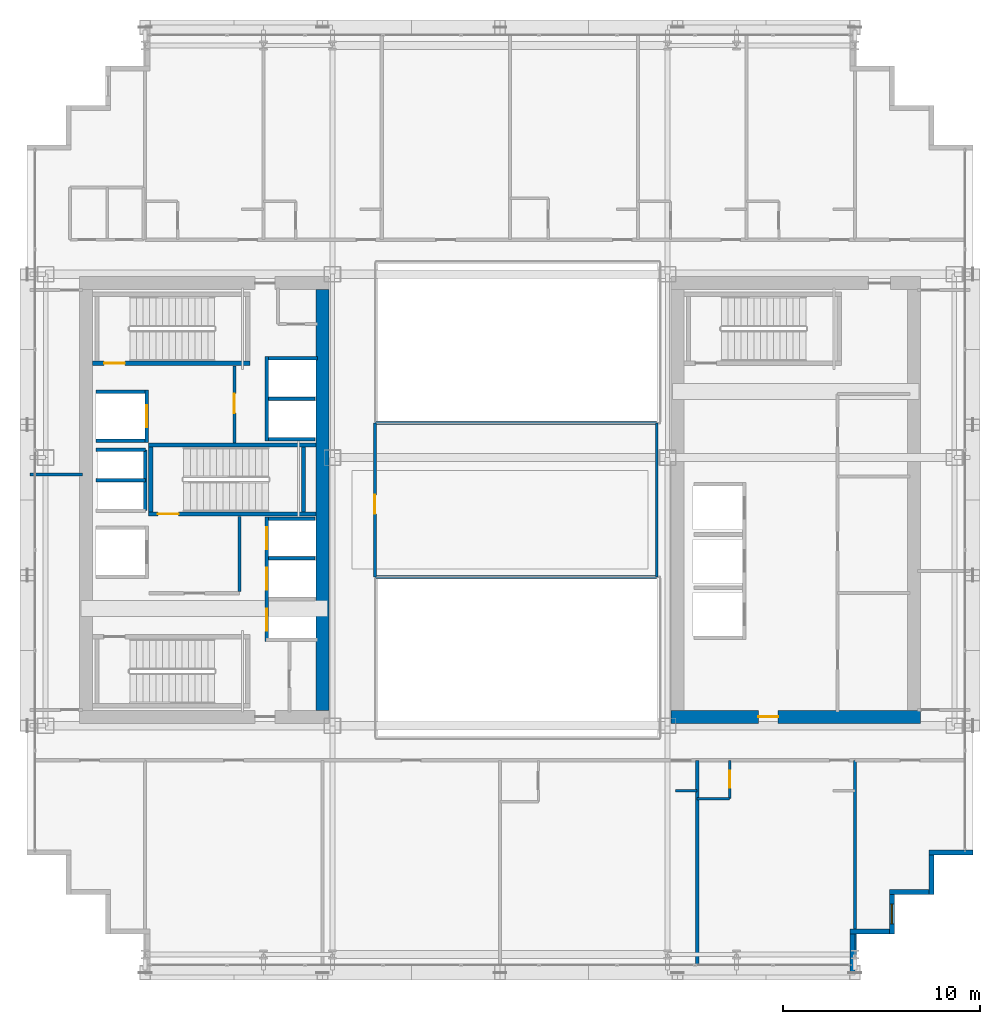
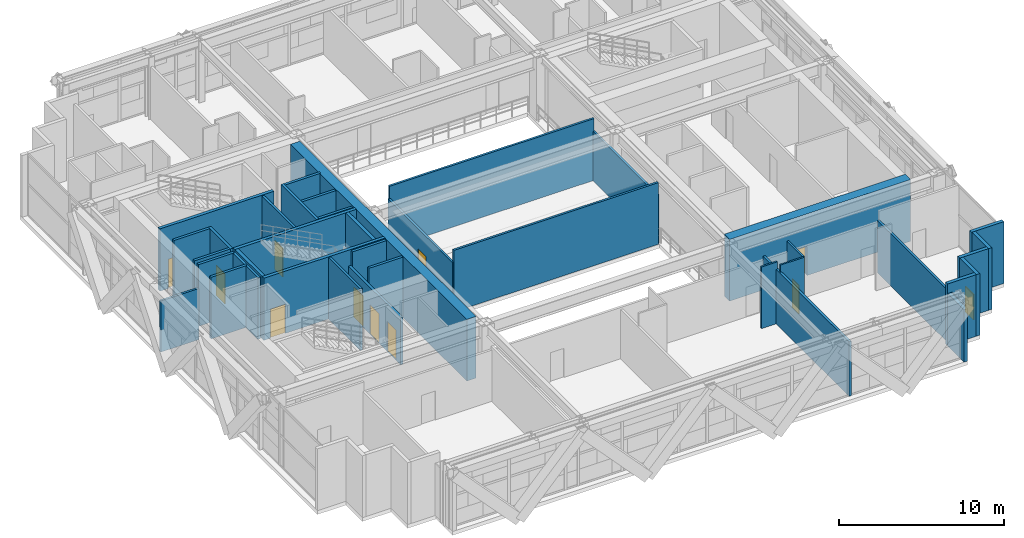
# One storey, part 31 of 38: 38 walls, 10 doors, 1 window, 11 openings.
"""IFC4 building model written with IfcOpenShell, lengths in metres."""

from ifc_helpers import new_model, si_unit, direction, frame, frame_2d, origin, place, context, subcontext, project, spatial, rectangle, extrude, source, transform, mapped, material, layer, layer_set, type_object, element, fill, save


model = new_model("IFC4")

# Units and contexts
model_context = context("Model", 3, precision=1e-05, world=origin(), true_north=direction((0.0, 1.0)))
body_context = subcontext(model_context, "Body", "Model", "MODEL_VIEW")
ifc_project = project(units=[si_unit("LENGTHUNIT", "METRE"), si_unit("AREAUNIT", "SQUARE_METRE"), si_unit("VOLUMEUNIT", "CUBIC_METRE"), si_unit("PLANEANGLEUNIT", "RADIAN"), si_unit("MASSUNIT", "GRAM", prefix="KILO")], contexts=[model_context])

# Site, building, storey
site_placement = place(None, origin())
site = spatial("IfcSite", under=ifc_project, at=site_placement, CompositionType="ELEMENT")
building_placement = place(site_placement, origin())
building = spatial("IfcBuilding", under=site, at=building_placement, Name="Ocotamira Hotel", CompositionType="ELEMENT")
storey_placement = place(building_placement, frame((0.0, 0.0, 92.39990234375)))
storey = spatial("IfcBuildingStorey", under=building, at=storey_placement, Name="L22", CompositionType="ELEMENT", Elevation=92.39990234375)

# Wall
ifc_material_1 = material(Name="Concrete C60/75", Category="concrete")
ifc_layer_1 = layer(ifc_material_1, 0.64990234375)
ifc_layer_set_1 = layer_set([ifc_layer_1], Name="Concrete C60/75")
wall_type_1 = type_object("IfcWallType", Name="WL-CORE-650", PredefinedType="SHEAR", material=ifc_layer_set_1)
wall_1_placement = place(storey_placement, frame((23.0, 15.324951171875, 0.0), z_axis=(0.0, 0.0, 1.0), x_axis=(0.0, 1.0, 0.0)))
element("IfcWall", 1, at=wall_1_placement, inside=storey, type_object=wall_type_1, Name="L22 Shear Core Wall WCORE-E", PredefinedType="SHEAR", context=body_context, shape_type="SweptSolid", body=[
    extrude(rectangle(XDim=21.35009765625, YDim=0.64990234375, at=frame_2d((10.675048828125, 0.0))), origin(), (0.0, 0.0, 1.0), 4.56005859375),
])

# Wall, opening, door
wall_2_placement = place(storey_placement, frame((40.675048828125, 15.0, 0.0), z_axis=(0.0, 0.0, 1.0), x_axis=(1.0, 0.0, 0.0)))
wall_2 = element("IfcWall", 2, at=wall_2_placement, inside=storey, type_object=wall_type_1, Name="L22 Shear Core Wall ECORE-S", PredefinedType="SHEAR", context=body_context, shape_type="SweptSolid", body=[
    extrude(rectangle(XDim=12.64990234375, YDim=0.64990234375, at=frame_2d((6.324951171875, 0.0))), origin(), (0.0, 0.0, 1.0), 4.56005859375),
])
opening_1_placement = place(wall_2_placement, frame((4.425048828125, 0.0, 0.0)))
opening_1 = element("IfcOpeningElement", 3, at=opening_1_placement, cuts=wall_2, Name="Opening D-FR2", PredefinedType="OPENING", context=body_context, shape_type="SweptSolid", body=[
    extrude(rectangle(XDim=1.0, YDim=2.14990234375, at=frame_2d((0.5, 1.074951171875))), frame((0.0, 0.3349609375, 0.0), z_axis=(0.0, -1.0, 0.0), x_axis=(1.0, 0.0, 0.0)), (0.0, 0.0, 1.0), 0.669921875),
])
ifc_material_2 = material(Name="Fire-rated acoustic timber-veneer door", Category="wood")
door_type_1 = type_object("IfcDoorType", Name="DR-FIRE-1000", OperationType="NOTDEFINED", PredefinedType="DOOR", material=ifc_material_2)
shared_shape_1 = source(origin(), body_context, "Body", "SweptSolid", [
    extrude(rectangle(XDim=1.0, YDim=2.14990234375, at=frame_2d((0.5, 1.074951171875))), frame((0.0, 0.02490234375, 0.0), z_axis=(0.0, -1.0, 0.0), x_axis=(1.0, 0.0, 0.0)), (0.0, 0.0, 1.0), 0.050048828125),
])
door_1_placement = place(opening_1_placement, origin())
door_1 = element("IfcDoor", 4, at=door_1_placement, inside=storey, type_object=door_type_1, Name="L22 Door ID-L22-ELOB-S-D [ID-L22-ELOB-S-D]", OperationType="SINGLE_SWING_RIGHT", OverallHeight=2.14990234375, OverallWidth=1.0, PredefinedType="DOOR", context=body_context, shape_type="MappedRepresentation", body=[
    mapped(shared_shape_1, transform((0.0, 0.0, 0.0), scale=1.0)),
])
fill(opening_1, door_1)

# Walls
ifc_material_3 = material(Name="Precast concrete C45/55", Category="concrete")
ifc_layer_2 = layer(ifc_material_3, 0.25)
ifc_layer_set_2 = layer_set([ifc_layer_2], Name="Precast concrete C45/55")
wall_type_2 = type_object("IfcWallType", Name="WL-EXT-SER-250", PredefinedType="SOLIDWALL", material=ifc_layer_set_2)
wall_3_placement = place(storey_placement, frame((49.875, 2.0, 0.0), z_axis=(0.0, 0.0, 1.0), x_axis=(0.0, 1.0, 0.0)))
element("IfcWall", 5, at=wall_3_placement, inside=storey, type_object=wall_type_2, Name="L22 Serrated Corner Wall 01", PredefinedType="SOLIDWALL", context=body_context, shape_type="SweptSolid", body=[
    extrude(rectangle(XDim=2.0, YDim=0.25, at=frame_2d((1.0, 0.0))), origin(), (0.0, 0.0, 1.0), 3.8671875),
])
wall_4_placement = place(storey_placement, frame((49.75, 4.125, 0.0), z_axis=(0.0, 0.0, 1.0), x_axis=(1.0, 0.0, 0.0)))
element("IfcWall", 6, at=wall_4_placement, inside=storey, type_object=wall_type_2, Name="L22 Serrated Corner Wall 02", PredefinedType="SOLIDWALL", context=body_context, shape_type="SweptSolid", body=[
    extrude(rectangle(XDim=2.0, YDim=0.25, at=frame_2d((1.0, 0.0))), origin(), (0.0, 0.0, 1.0), 4.56005859375),
])

# Wall, opening, window
wall_5_placement = place(storey_placement, frame((51.875, 4.0, 0.0), z_axis=(0.0, 0.0, 1.0), x_axis=(0.0, 1.0, 0.0)))
wall_5 = element("IfcWall", 7, at=wall_5_placement, inside=storey, type_object=wall_type_2, Name="L22 Serrated Corner Wall 03", PredefinedType="SOLIDWALL", context=body_context, shape_type="SweptSolid", body=[
    extrude(rectangle(XDim=2.0, YDim=0.25, at=frame_2d((1.0, 0.0))), origin(), (0.0, 0.0, 1.0), 4.56005859375),
])
opening_2_placement = place(wall_5_placement, frame((0.5, 0.0, 0.85009765625)))
opening_2 = element("IfcOpeningElement", 8, at=opening_2_placement, cuts=wall_5, Name="Opening WN-2", PredefinedType="OPENING", context=body_context, shape_type="SweptSolid", body=[
    extrude(rectangle(XDim=1.0, YDim=1.89990234375, at=frame_2d((0.5, 0.949951171875))), frame((0.0, 0.135009765625, 0.0), z_axis=(0.0, -1.0, 0.0), x_axis=(1.0, 0.0, 0.0)), (0.0, 0.0, 1.0), 0.27001953125),
])
ifc_material_4 = material(Name="Double-silver low-E solar glass", Category="glass")
window_type = type_object("IfcWindowType", Name="WIN-SER-1100", PartitioningType="SINGLE_PANEL", PredefinedType="WINDOW", material=ifc_material_4)
shared_shape_2 = source(origin(), body_context, "Body", "SweptSolid", [
    extrude(rectangle(XDim=1.0, YDim=1.89990234375, at=frame_2d((0.5, 0.949951171875))), frame((0.0, 0.030029296875, 0.0), z_axis=(0.0, -1.0, 0.0), x_axis=(1.0, 0.0, 0.0)), (0.0, 0.0, 1.0), 0.06005859375),
])
window_placement = place(opening_2_placement, origin())
window = element("IfcWindow", 9, at=window_placement, inside=storey, type_object=window_type, Name="L22 Serrated Corner Window 03", OverallHeight=1.89990234375, OverallWidth=1.0, PartitioningType="SINGLE_PANEL", PredefinedType="WINDOW", context=body_context, shape_type="MappedRepresentation", body=[
    mapped(shared_shape_2, transform((0.0, 0.0, 0.0), scale=1.0)),
])
fill(opening_2, window)

# Walls
for number, where, z_axis, x_axis, name in (
    (10, (51.75, 6.125, 0.0), (0.0, 0.0, 1.0), (1.0, 0.0, 0.0), "L22 Serrated Corner Wall 04"),
    (11, (53.875, 6.0, 0.0), (0.0, 0.0, 1.0), (0.0, 1.0, 0.0), "L22 Serrated Corner Wall 05"),
):
    element("IfcWall", number, at=place(storey_placement, frame(where, z_axis=z_axis, x_axis=x_axis)), inside=storey, type_object=wall_type_2, Name=name, PredefinedType="SOLIDWALL", context=body_context, shape_type="SweptSolid", body=[
        extrude(rectangle(XDim=2.0, YDim=0.25, at=frame_2d((1.0, 0.0))), origin(), (0.0, 0.0, 1.0), 4.56005859375),
    ])
wall_6_placement = place(storey_placement, frame((53.75, 8.125, 0.0), z_axis=(0.0, 0.0, 1.0), x_axis=(1.0, 0.0, 0.0)))
element("IfcWall", 12, at=wall_6_placement, inside=storey, type_object=wall_type_2, Name="L22 Serrated Corner Wall 06", PredefinedType="SOLIDWALL", context=body_context, shape_type="SweptSolid", body=[
    extrude(rectangle(XDim=2.25, YDim=0.25, at=frame_2d((1.125, 0.0))), origin(), (0.0, 0.0, 1.0), 4.56005859375),
])
ifc_material_5 = material(Name="Acoustic double-layer fire gypsum board partition", Category="gypsum")
ifc_layer_3 = layer(ifc_material_5, 0.159912109375)
ifc_layer_set_3 = layer_set([ifc_layer_3], Name="Acoustic double-layer fire gypsum board partition")
wall_type_3 = type_object("IfcWallType", Name="WL-FIRE-160", PredefinedType="PARTITIONING", material=ifc_layer_set_3)
wall_7_placement = place(storey_placement, frame((18.780029296875, 21.35009765625, 0.0), z_axis=(0.0, 0.0, 1.0), x_axis=(0.0, 1.0, 0.0)))
element("IfcWall", 13, at=wall_7_placement, inside=storey, type_object=wall_type_3, Name="L22 Interior Wall PW-L22-FSAE1-E", PredefinedType="PARTITIONING", context=body_context, shape_type="SweptSolid", body=[
    extrude(rectangle(XDim=3.809814453125, YDim=0.159912109375, at=frame_2d((1.90478515625, 0.0))), origin(), (0.0, 0.0, 1.0), 4.56005859375),
])

# Wall, opening, door
wall_8_placement = place(storey_placement, frame((18.530029296875, 28.89990234375, 0.0), z_axis=(0.0, 0.0, 1.0), x_axis=(0.0, 1.0, 0.0)))
wall_8 = element("IfcWall", 14, at=wall_8_placement, inside=storey, type_object=wall_type_3, Name="L22 Interior Wall PW-L22-FSAE2-E", PredefinedType="PARTITIONING", context=body_context, shape_type="SweptSolid", body=[
    extrude(rectangle(XDim=3.900146484375, YDim=0.159912109375, at=frame_2d((1.9501953125, 0.0))), origin(), (0.0, 0.0, 1.0), 4.56005859375),
])
opening_3_placement = place(wall_8_placement, frame((1.5, 0.0, 0.0)))
opening_3 = element("IfcOpeningElement", 15, at=opening_3_placement, cuts=wall_8, Name="Opening D-FR2", PredefinedType="OPENING", context=body_context, shape_type="SweptSolid", body=[
    extrude(rectangle(XDim=1.0, YDim=2.14990234375, at=frame_2d((0.5, 1.074951171875))), frame((0.0, 0.08984375, 0.0), z_axis=(0.0, -1.0, 0.0), x_axis=(1.0, 0.0, 0.0)), (0.0, 0.0, 1.0), 0.179931640625),
])
door_2_placement = place(opening_3_placement, origin())
door_2 = element("IfcDoor", 16, at=door_2_placement, inside=storey, type_object=door_type_1, Name="L22 Door ID-L22-FSAE2-D [ID-L22-FSAE2-D]", OperationType="SINGLE_SWING_RIGHT", OverallHeight=2.14990234375, OverallWidth=1.0, PredefinedType="DOOR", context=body_context, shape_type="MappedRepresentation", body=[
    mapped(shared_shape_1, transform((0.0, 0.0, 0.0), scale=1.0)),
])
fill(opening_3, door_2)

# Wall
ifc_material_6 = material(Name="Moisture-resistant en-suite tile and gypsum partition", Category="gypsum")
ifc_layer_4 = layer(ifc_material_6, 0.1201171875)
ifc_layer_set_4 = layer_set([ifc_layer_4], Name="Moisture-resistant en-suite tile and gypsum partition")
wall_type_4 = type_object("IfcWallType", Name="WL-PART-120", PredefinedType="PARTITIONING", material=ifc_layer_set_4)
wall_9_placement = place(storey_placement, frame((40.89990234375, 11.25, 0.0), z_axis=(0.0, 0.0, 1.0), x_axis=(1.0, 0.0, 0.0)))
element("IfcWall", 17, at=wall_9_placement, inside=storey, type_object=wall_type_4, Name="L22 Interior Wall PW-L22-L22S-DRN3", PredefinedType="PARTITIONING", context=body_context, shape_type="SweptSolid", body=[
    extrude(rectangle(XDim=1.10009765625, YDim=0.1201171875, at=frame_2d((0.550048828125, 0.0))), origin(), (0.0, 0.0, 1.0), 4.56005859375),
])

# Wall, opening, door
wall_10_placement = place(storey_placement, frame((43.64990234375, 10.85009765625, 0.0), z_axis=(0.0, 0.0, 1.0), x_axis=(0.0, 1.0, 0.0)))
wall_10 = element("IfcWall", 18, at=wall_10_placement, inside=storey, type_object=wall_type_4, Name="L22 Interior Wall PW-L22-L22S-BAE4", PredefinedType="PARTITIONING", context=body_context, shape_type="SweptSolid", body=[
    extrude(rectangle(XDim=1.949951171875, YDim=0.1201171875, at=frame_2d((0.97509765625, 0.0))), origin(), (0.0, 0.0, 1.0), 4.56005859375),
])
opening_4_placement = place(wall_10_placement, frame((0.544921875, 0.0, 0.0)))
opening_4 = element("IfcOpeningElement", 19, at=opening_4_placement, cuts=wall_10, Name="Opening D-BA1", PredefinedType="OPENING", context=body_context, shape_type="SweptSolid", body=[
    extrude(rectangle(XDim=0.860107421875, YDim=2.10009765625, at=frame_2d((0.43017578125, 1.050048828125))), frame((0.0, 0.070068359375, 0.0), z_axis=(0.0, -1.0, 0.0), x_axis=(1.0, 0.0, 0.0)), (0.0, 0.0, 1.0), 0.14013671875),
])
ifc_material_7 = material(Name="Moisture-sealed en-suite timber door", Category="wood")
door_type_2 = type_object("IfcDoorType", Name="DR-BATH-860", OperationType="NOTDEFINED", PredefinedType="DOOR", material=ifc_material_7)
shared_shape_3 = source(origin(), body_context, "Body", "SweptSolid", [
    extrude(rectangle(XDim=0.860107421875, YDim=2.10009765625, at=frame_2d((0.43017578125, 1.050048828125))), frame((0.0, 0.02490234375, 0.0), z_axis=(0.0, -1.0, 0.0), x_axis=(1.0, 0.0, 0.0)), (0.0, 0.0, 1.0), 0.050048828125),
])
door_3_placement = place(opening_4_placement, origin())
door_3 = element("IfcDoor", 20, at=door_3_placement, inside=storey, type_object=door_type_2, Name="L22 Door ID-L22-L22S-BAD4 [ID-L22-L22S-BAD4]", OperationType="SINGLE_SWING_LEFT", OverallHeight=2.10009765625, OverallWidth=0.860107421875, PredefinedType="DOOR", context=body_context, shape_type="MappedRepresentation", body=[
    mapped(shared_shape_3, transform((0.0, 0.0, 0.0), scale=1.0)),
])
fill(opening_4, door_3)

# Walls
wall_11_placement = place(storey_placement, frame((42.0, 10.85009765625, 0.0), z_axis=(0.0, 0.0, 1.0), x_axis=(1.0, 0.0, 0.0)))
element("IfcWall", 21, at=wall_11_placement, inside=storey, type_object=wall_type_4, Name="L22 Interior Wall PW-L22-L22S-BAS4", PredefinedType="PARTITIONING", context=body_context, shape_type="SweptSolid", body=[
    extrude(rectangle(XDim=1.64990234375, YDim=0.1201171875, at=frame_2d((0.824951171875, 0.0))), origin(), (0.0, 0.0, 1.0), 4.56005859375),
])
ifc_material_8 = material(Name="Acoustic hospitality gypsum board partition", Category="gypsum")
ifc_layer_5 = layer(ifc_material_8, 0.14208984375)
ifc_layer_set_5 = layer_set([ifc_layer_5], Name="Acoustic hospitality gypsum board partition")
wall_type_5 = type_object("IfcWallType", Name="WL-PART-142", PredefinedType="PARTITIONING", material=ifc_layer_set_5)
wall_12_placement = place(storey_placement, frame((8.159912109375, 27.300048828125, 0.0), z_axis=(0.0, 0.0, 1.0), x_axis=(1.0, 0.0, 0.0)))
element("IfcWall", 22, at=wall_12_placement, inside=storey, type_object=wall_type_5, Name="L22 Interior Wall PW-L22-L22W-DV1", PredefinedType="PARTITIONING", context=body_context, shape_type="SweptSolid", body=[
    extrude(rectangle(XDim=2.66015625, YDim=0.14208984375, at=frame_2d((1.330078125, 0.0))), origin(), (0.0, 0.0, 1.0), 3.781005859375),
])

# Wall, opening, door
ifc_layer_6 = layer(ifc_material_8, 0.14990234375)
ifc_layer_set_6 = layer_set([ifc_layer_6], Name="Acoustic hospitality gypsum board partition")
wall_type_6 = type_object("IfcWallType", Name="WL-PART-150", PredefinedType="PARTITIONING", material=ifc_layer_set_6)
wall_13_placement = place(storey_placement, frame((25.64990234375, 22.10009765625, 0.0), z_axis=(0.0, 0.0, 1.0), x_axis=(0.0, 1.0, 0.0)))
wall_13 = element("IfcWall", 23, at=wall_13_placement, inside=storey, type_object=wall_type_6, Name="L22 Interior Wall PW-L22-L22-BRW", PredefinedType="PARTITIONING", context=body_context, shape_type="SweptSolid", body=[
    extrude(rectangle(XDim=7.7998046875, YDim=0.14990234375, at=frame_2d((3.89990234375, 0.0))), origin(), (0.0, 0.0, 1.0), 3.633056640625),
])
opening_5_placement = place(wall_13_placement, frame((3.199951171875, 0.0, 0.0)))
opening_5 = element("IfcOpeningElement", 24, at=opening_5_placement, cuts=wall_13, Name="Opening D-SV4", PredefinedType="OPENING", context=body_context, shape_type="SweptSolid", body=[
    extrude(rectangle(XDim=0.9599609375, YDim=2.14990234375, at=frame_2d((0.47998046875, 1.074951171875))), frame((0.0, 0.0849609375, 0.0), z_axis=(0.0, -1.0, 0.0), x_axis=(1.0, 0.0, 0.0)), (0.0, 0.0, 1.0), 0.169921875),
])
ifc_material_9 = material(Name="Fire-rated accessible walnut salon door", Category="wood")
door_type_3 = type_object("IfcDoorType", Name="DR-SERV-960", OperationType="NOTDEFINED", PredefinedType="DOOR", material=ifc_material_9)
shared_shape_4 = source(origin(), body_context, "Body", "SweptSolid", [
    extrude(rectangle(XDim=0.9599609375, YDim=2.14990234375, at=frame_2d((0.47998046875, 1.074951171875))), frame((0.0, 0.02490234375, 0.0), z_axis=(0.0, -1.0, 0.0), x_axis=(1.0, 0.0, 0.0)), (0.0, 0.0, 1.0), 0.050048828125),
])
door_4_placement = place(opening_5_placement, origin())
door_4 = element("IfcDoor", 25, at=door_4_placement, inside=storey, type_object=door_type_3, Name="L22 Door ID-L22-L22-BRD [ID-L22-L22-BRD]", OperationType="SINGLE_SWING_RIGHT", OverallHeight=2.14990234375, OverallWidth=0.9599609375, PredefinedType="DOOR", context=body_context, shape_type="MappedRepresentation", body=[
    mapped(shared_shape_4, transform((0.0, 0.0, 0.0), scale=1.0)),
])
fill(opening_5, door_4)

# Walls
for number, where, z_axis, x_axis, name in (
    (26, (25.64990234375, 22.10009765625, 0.0), (0.0, 0.0, 1.0), (1.0, 0.0, 0.0), "L22 Interior Wall PW-L22-L22-BRS"),
    (27, (25.64990234375, 29.89990234375, 0.0), (0.0, 0.0, 1.0), (1.0, 0.0, 0.0), "L22 Interior Wall PW-L22-L22-BRN"),
):
    element("IfcWall", number, at=place(storey_placement, frame(where, z_axis=z_axis, x_axis=x_axis)), inside=storey, type_object=wall_type_6, Name=name, PredefinedType="PARTITIONING", context=body_context, shape_type="SweptSolid", body=[
        extrude(rectangle(XDim=14.300048828125, YDim=0.14990234375, at=frame_2d((7.14990234375, 0.0))), origin(), (0.0, 0.0, 1.0), 4.56005859375),
    ])
wall_14_placement = place(storey_placement, frame((39.949951171875, 22.10009765625, 0.0), z_axis=(0.0, 0.0, 1.0), x_axis=(0.0, 1.0, 0.0)))
element("IfcWall", 28, at=wall_14_placement, inside=storey, type_object=wall_type_6, Name="L22 Interior Wall PW-L22-L22-BRE", PredefinedType="PARTITIONING", context=body_context, shape_type="SweptSolid", body=[
    extrude(rectangle(XDim=7.7998046875, YDim=0.14990234375, at=frame_2d((3.89990234375, 0.0))), origin(), (0.0, 0.0, 1.0), 3.633056640625),
])
ifc_material_10 = material(Name="Acoustic double-stud hospitality gypsum partition", Category="gypsum")
ifc_layer_7 = layer(ifc_material_10, 0.159912109375)
ifc_layer_set_7 = layer_set([ifc_layer_7], Name="Acoustic double-stud hospitality gypsum partition")
wall_type_7 = type_object("IfcWallType", Name="WL-PART-160", PredefinedType="PARTITIONING", material=ifc_layer_set_7)
wall_15_placement = place(storey_placement, frame((50.0, 2.360107421875, 0.0), z_axis=(0.0, 0.0, 1.0), x_axis=(0.0, 1.0, 0.0)))
element("IfcWall", 29, at=wall_15_placement, inside=storey, type_object=wall_type_7, Name="L22 Interior Wall PW-L22-L22S-PWEND", PredefinedType="PARTITIONING", context=body_context, shape_type="SweptSolid", body=[
    extrude(rectangle(XDim=10.43994140625, YDim=0.159912109375, at=frame_2d((5.219970703125, 0.0))), origin(), (0.0, 0.0, 1.0), 3.8671875),
])
ifc_material_11 = material(Name="Double-stud suite party gypsum partition", Category="gypsum")
ifc_layer_8 = layer(ifc_material_11, 0.175048828125)
ifc_layer_set_8 = layer_set([ifc_layer_8], Name="Double-stud suite party gypsum partition")
wall_type_8 = type_object("IfcWallType", Name="WL-PART-175", PredefinedType="PARTITIONING", material=ifc_layer_set_8)
wall_16_placement = place(storey_placement, frame((42.0, 2.360107421875, 0.0), z_axis=(0.0, 0.0, 1.0), x_axis=(0.0, 1.0, 0.0)))
element("IfcWall", 30, at=wall_16_placement, inside=storey, type_object=wall_type_8, Name="L22 Interior Wall PW-L22-L22S-PW3", PredefinedType="PARTITIONING", context=body_context, shape_type="SweptSolid", body=[
    extrude(rectangle(XDim=10.43994140625, YDim=0.175048828125, at=frame_2d((5.219970703125, 0.0))), origin(), (0.0, 0.0, 1.0), 4.023193359375),
])

# Wall, openings, doors
ifc_material_12 = material(Name="Fire-rated gypsum shaftliner board assembly", Category="gypsum")
ifc_layer_9 = layer(ifc_material_12, 0.179931640625)
ifc_layer_set_9 = layer_set([ifc_layer_9], Name="Fire-rated gypsum shaftliner board assembly")
wall_type_9 = type_object("IfcWallType", Name="WL-SHAFT-180", PredefinedType="SOLIDWALL", material=ifc_layer_set_9)
wall_17_placement = place(storey_placement, frame((20.159912109375, 18.820068359375, 0.0), z_axis=(0.0, 0.0, 1.0), x_axis=(0.0, 1.0, 0.0)))
wall_17 = element("IfcWall", 31, at=wall_17_placement, inside=storey, type_object=wall_type_9, Name="L22 Interior Wall PW-L22-LFW-BANK-high-F", PredefinedType="SOLIDWALL", context=body_context, shape_type="SweptSolid", body=[
    extrude(rectangle(XDim=6.31982421875, YDim=0.179931640625, at=frame_2d((3.159912109375, 0.0))), origin(), (0.0, 0.0, 1.0), 3.460205078125),
])
opening_6_placement = place(wall_17_placement, frame((0.554931640625, 0.0, 0.0)))
opening_6 = element("IfcOpeningElement", 32, at=opening_6_placement, cuts=wall_17, Name="Opening LD-LF-P7", PredefinedType="OPENING", context=body_context, shape_type="SweptSolid", body=[
    extrude(rectangle(XDim=1.10009765625, YDim=2.199951171875, at=frame_2d((0.550048828125, 1.10009765625))), frame((0.0, 0.10009765625, 0.0), z_axis=(0.0, -1.0, 0.0), x_axis=(1.0, 0.0, 0.0)), (0.0, 0.0, 1.0), 0.199951171875),
])
opening_7_placement = place(wall_17_placement, frame((2.635009765625, 0.0, 0.0)))
opening_7 = element("IfcOpeningElement", 33, at=opening_7_placement, cuts=wall_17, Name="Opening LD-LF-P8", PredefinedType="OPENING", context=body_context, shape_type="SweptSolid", body=[
    extrude(rectangle(XDim=1.10009765625, YDim=2.199951171875, at=frame_2d((0.550048828125, 1.10009765625))), frame((0.0, 0.10009765625, 0.0), z_axis=(0.0, -1.0, 0.0), x_axis=(1.0, 0.0, 0.0)), (0.0, 0.0, 1.0), 0.199951171875),
])
opening_8_placement = place(wall_17_placement, frame((4.68994140625, 0.0, 0.0)))
opening_8 = element("IfcOpeningElement", 34, at=opening_8_placement, cuts=wall_17, Name="Opening LD-LF-P9", PredefinedType="OPENING", context=body_context, shape_type="SweptSolid", body=[
    extrude(rectangle(XDim=1.10009765625, YDim=2.199951171875, at=frame_2d((0.550048828125, 1.10009765625))), frame((0.0, 0.10009765625, 0.0), z_axis=(0.0, -1.0, 0.0), x_axis=(1.0, 0.0, 0.0)), (0.0, 0.0, 1.0), 0.199951171875),
])
ifc_material_13 = material(Name="Brushed pale-metal stainless elevator landing door", Category="steel")
door_type_4 = type_object("IfcDoorType", Name="DR-LIFT-1100", OperationType="NOTDEFINED", PredefinedType="DOOR", material=ifc_material_13)
shared_shape_5 = source(origin(), body_context, "Body", "SweptSolid", [
    extrude(rectangle(XDim=1.10009765625, YDim=2.199951171875, at=frame_2d((0.550048828125, 1.10009765625))), frame((0.0, 0.02490234375, 0.0), z_axis=(0.0, -1.0, 0.0), x_axis=(1.0, 0.0, 0.0)), (0.0, 0.0, 1.0), 0.050048828125),
])
door_5_placement = place(opening_6_placement, origin())
door_5 = element("IfcDoor", 35, at=door_5_placement, inside=storey, type_object=door_type_4, Name="L22 Landing Door LD-LF-P7 [ID-L22-LD-LF-P7]", OperationType="DOUBLE_DOOR_SLIDING", OverallHeight=2.199951171875, OverallWidth=1.10009765625, PredefinedType="DOOR", context=body_context, shape_type="MappedRepresentation", body=[
    mapped(shared_shape_5, transform((0.0, 0.0, 0.0), scale=1.0)),
])
fill(opening_6, door_5)
door_6_placement = place(opening_7_placement, origin())
door_6 = element("IfcDoor", 36, at=door_6_placement, inside=storey, type_object=door_type_4, Name="L22 Landing Door LD-LF-P8 [ID-L22-LD-LF-P8]", OperationType="DOUBLE_DOOR_SLIDING", OverallHeight=2.199951171875, OverallWidth=1.10009765625, PredefinedType="DOOR", context=body_context, shape_type="MappedRepresentation", body=[
    mapped(shared_shape_5, transform((0.0, 0.0, 0.0), scale=1.0)),
])
fill(opening_7, door_6)
door_7_placement = place(opening_8_placement, origin())
door_7 = element("IfcDoor", 37, at=door_7_placement, inside=storey, type_object=door_type_4, Name="L22 Landing Door LD-LF-P9 [ID-L22-LD-LF-P9]", OperationType="DOUBLE_DOOR_SLIDING", OverallHeight=2.199951171875, OverallWidth=1.10009765625, PredefinedType="DOOR", context=body_context, shape_type="MappedRepresentation", body=[
    mapped(shared_shape_5, transform((0.0, 0.0, 0.0), scale=1.0)),
])
fill(opening_8, door_7)

# Walls
for number, where, z_axis, x_axis, name in (
    (38, (20.25, 25.050048828125, 0.0), (0.0, 0.0, 1.0), (1.0, 0.0, 0.0), "L22 Interior Wall PW-L22-LFW-BANK-high-N"),
    (39, (20.25, 23.044921875, 0.0), (0.0, 0.0, 1.0), (1.0, 0.0, 0.0), "L22 Interior Wall PW-L22-LFW-DIV-LF-P8"),
):
    element("IfcWall", number, at=place(storey_placement, frame(where, z_axis=z_axis, x_axis=x_axis)), inside=storey, type_object=wall_type_9, Name=name, PredefinedType="SOLIDWALL", context=body_context, shape_type="SweptSolid", body=[
        extrude(rectangle(XDim=2.360107421875, YDim=0.179931640625, at=frame_2d((1.18017578125, 0.0))), origin(), (0.0, 0.0, 1.0), 4.56005859375),
    ])
wall_18_placement = place(storey_placement, frame((20.159912109375, 29.0, 0.0), z_axis=(0.0, 0.0, 1.0), x_axis=(0.0, 1.0, 0.0)))
element("IfcWall", 40, at=wall_18_placement, inside=storey, type_object=wall_type_9, Name="L22 Interior Wall PW-L22-LFW-BANK-obs-F", PredefinedType="SOLIDWALL", context=body_context, shape_type="SweptSolid", body=[
    extrude(rectangle(XDim=4.2900390625, YDim=0.179931640625, at=frame_2d((2.14501953125, 0.0))), origin(), (0.0, 0.0, 1.0), 4.56005859375),
])
wall_19_placement = place(storey_placement, frame((20.25, 29.090087890625, 0.0), z_axis=(0.0, 0.0, 1.0), x_axis=(1.0, 0.0, 0.0)))
element("IfcWall", 41, at=wall_19_placement, inside=storey, type_object=wall_type_9, Name="L22 Interior Wall PW-L22-LFW-BANK-obs-S", PredefinedType="SOLIDWALL", context=body_context, shape_type="SweptSolid", body=[
    extrude(rectangle(XDim=2.360107421875, YDim=0.179931640625, at=frame_2d((1.18017578125, 0.0))), origin(), (0.0, 0.0, 1.0), 4.56005859375),
])
wall_20_placement = place(storey_placement, frame((20.25, 33.199951171875, 0.0), z_axis=(0.0, 0.0, 1.0), x_axis=(1.0, 0.0, 0.0)))
element("IfcWall", 42, at=wall_20_placement, inside=storey, type_object=wall_type_9, Name="L22 Interior Wall PW-L22-LFW-BANK-obs-N", PredefinedType="SOLIDWALL", context=body_context, shape_type="SweptSolid", body=[
    extrude(rectangle(XDim=2.5, YDim=0.179931640625, at=frame_2d((1.25, 0.0))), origin(), (0.0, 0.0, 1.0), 4.56005859375),
])
wall_21_placement = place(storey_placement, frame((20.25, 31.14501953125, 0.0), z_axis=(0.0, 0.0, 1.0), x_axis=(1.0, 0.0, 0.0)))
element("IfcWall", 43, at=wall_21_placement, inside=storey, type_object=wall_type_9, Name="L22 Interior Wall PW-L22-LFW-DIV-LF-OBS1", PredefinedType="SOLIDWALL", context=body_context, shape_type="SweptSolid", body=[
    extrude(rectangle(XDim=2.360107421875, YDim=0.179931640625, at=frame_2d((1.18017578125, 0.0))), origin(), (0.0, 0.0, 1.0), 4.56005859375),
])
for number, where, z_axis, x_axis, name in (
    (44, (11.5, 29.010009765625, 0.0), (0.0, 0.0, 1.0), (1.0, 0.0, 0.0), "L22 Interior Wall PW-L22-LFW-LF-FSAE2-S"),
    (45, (11.5, 31.489990234375, 0.0), (0.0, 0.0, 1.0), (1.0, 0.0, 0.0), "L22 Interior Wall PW-L22-LFW-LF-FSAE2-N"),
):
    element("IfcWall", number, at=place(storey_placement, frame(where, z_axis=z_axis, x_axis=x_axis)), inside=storey, type_object=wall_type_9, Name=name, PredefinedType="SOLIDWALL", context=body_context, shape_type="SweptSolid", body=[
        extrude(rectangle(XDim=2.5, YDim=0.179931640625, at=frame_2d((1.25, 0.0))), origin(), (0.0, 0.0, 1.0), 4.56005859375),
    ])

# Wall, opening, door
wall_22_placement = place(storey_placement, frame((14.090087890625, 28.919921875, 0.0), z_axis=(0.0, 0.0, 1.0), x_axis=(0.0, 1.0, 0.0)))
wall_22 = element("IfcWall", 46, at=wall_22_placement, inside=storey, type_object=wall_type_9, Name="L22 Interior Wall PW-L22-LFW-LF-FSAE2-E", PredefinedType="SOLIDWALL", context=body_context, shape_type="SweptSolid", body=[
    extrude(rectangle(XDim=2.66015625, YDim=0.179931640625, at=frame_2d((1.330078125, 0.0))), origin(), (0.0, 0.0, 1.0), 4.56005859375),
])
opening_9_placement = place(wall_22_placement, frame((0.780029296875, 0.0, 0.0)))
opening_9 = element("IfcOpeningElement", 47, at=opening_9_placement, cuts=wall_22, Name="Opening LD-LF-FSAE2", PredefinedType="OPENING", context=body_context, shape_type="SweptSolid", body=[
    extrude(rectangle(XDim=1.10009765625, YDim=2.199951171875, at=frame_2d((0.550048828125, 1.10009765625))), frame((0.0, 0.10009765625, 0.0), z_axis=(0.0, -1.0, 0.0), x_axis=(1.0, 0.0, 0.0)), (0.0, 0.0, 1.0), 0.199951171875),
])
door_8_placement = place(opening_9_placement, origin())
door_8 = element("IfcDoor", 48, at=door_8_placement, inside=storey, type_object=door_type_4, Name="L22 Landing Door LD-LF-FSAE2 [ID-L22-LD-LF-FSAE2]", OperationType="DOUBLE_DOOR_SLIDING", OverallHeight=2.199951171875, OverallWidth=1.10009765625, PredefinedType="DOOR", context=body_context, shape_type="MappedRepresentation", body=[
    mapped(shared_shape_5, transform((0.0, 0.0, 0.0), scale=1.0)),
])
fill(opening_9, door_8)

# Walls
for number, where, z_axis, x_axis, name in (
    (49, (11.5, 27.0, 0.0), (0.0, 0.0, 1.0), (1.0, 0.0, 0.0), "L22 Interior Wall PW-L22-RSW-MID"),
    (50, (11.5, 28.5400390625, 0.0), (0.0, 0.0, 1.0), (1.0, 0.0, 0.0), "L22 Interior Wall PW-L22-RSW-N"),
):
    element("IfcWall", number, at=place(storey_placement, frame(where, z_axis=z_axis, x_axis=x_axis)), inside=storey, type_object=wall_type_9, Name=name, PredefinedType="SOLIDWALL", context=body_context, shape_type="SweptSolid", body=[
        extrude(rectangle(XDim=2.510009765625, YDim=0.179931640625, at=frame_2d((1.2548828125, 0.0))), origin(), (0.0, 0.0, 1.0), 4.56005859375),
    ])
wall_23_placement = place(storey_placement, frame((14.010009765625, 25.4599609375, 0.0), z_axis=(0.0, 0.0, 1.0), x_axis=(0.0, 1.0, 0.0)))
element("IfcWall", 51, at=wall_23_placement, inside=storey, type_object=wall_type_9, Name="L22 Interior Wall PW-L22-RSW-E", PredefinedType="SOLIDWALL", context=body_context, shape_type="SweptSolid", body=[
    extrude(rectangle(XDim=3.080078125, YDim=0.179931640625, at=frame_2d((1.5400390625, 0.0))), origin(), (0.0, 0.0, 1.0), 4.56005859375),
])

# Wall, opening, door
ifc_material_14 = material(Name="Concrete C50/60", Category="concrete")
ifc_layer_10 = layer(ifc_material_14, 0.219970703125)
ifc_layer_set_10 = layer_set([ifc_layer_10], Name="Concrete C50/60")
wall_type_10 = type_object("IfcWallType", Name="WL-STAIR-220", PredefinedType="SHEAR", material=ifc_layer_set_10)
wall_24_placement = place(storey_placement, frame((11.324951171875, 32.93994140625, 0.0), z_axis=(0.0, 0.0, 1.0), x_axis=(1.0, 0.0, 0.0)))
wall_24 = element("IfcWall", 52, at=wall_24_placement, inside=storey, type_object=wall_type_10, Name="L22 Stair Shaft Structural Wall ST-2-S", PredefinedType="SHEAR", context=body_context, shape_type="SweptSolid", body=[
    extrude(rectangle(XDim=7.985107421875, YDim=0.219970703125, at=frame_2d((3.99267578125, 0.0))), origin(), (0.0, 0.0, 1.0), 4.60009765625),
])
opening_10_placement = place(wall_24_placement, frame((0.594970703125, 0.0, 0.0)))
opening_10 = element("IfcOpeningElement", 53, at=opening_10_placement, cuts=wall_24, Name="Opening D-ST2", PredefinedType="OPENING", context=body_context, shape_type="SweptSolid", body=[
    extrude(rectangle(XDim=1.050048828125, YDim=2.14990234375, at=frame_2d((0.52490234375, 1.074951171875))), frame((0.0, 0.1201171875, 0.0), z_axis=(0.0, -1.0, 0.0), x_axis=(1.0, 0.0, 0.0)), (0.0, 0.0, 1.0), 0.239990234375),
])
ifc_material_15 = material(Name="Insulated painted hollow-metal fire exit door", Category="steel")
door_type_5 = type_object("IfcDoorType", Name="DR-STAIR-1050", OperationType="NOTDEFINED", PredefinedType="DOOR", material=ifc_material_15)
shared_shape_6 = source(origin(), body_context, "Body", "SweptSolid", [
    extrude(rectangle(XDim=1.050048828125, YDim=2.14990234375, at=frame_2d((0.52490234375, 1.074951171875))), frame((0.0, 0.02490234375, 0.0), z_axis=(0.0, -1.0, 0.0), x_axis=(1.0, 0.0, 0.0)), (0.0, 0.0, 1.0), 0.050048828125),
])
door_9_placement = place(opening_10_placement, origin())
door_9 = element("IfcDoor", 54, at=door_9_placement, inside=storey, type_object=door_type_5, Name="L22 Door ID-L22-STD-ST-2 [ID-L22-STD-ST-2]", OperationType="SINGLE_SWING_RIGHT", OverallHeight=2.14990234375, OverallWidth=1.050048828125, PredefinedType="DOOR", context=body_context, shape_type="MappedRepresentation", body=[
    mapped(shared_shape_6, transform((0.0, 0.0, 0.0), scale=1.0)),
])
fill(opening_10, door_9)

wall_25_placement = place(storey_placement, frame((14.179931640625, 25.2900390625, 0.0), z_axis=(0.0, 0.0, 1.0), x_axis=(1.0, 0.0, 0.0)))
wall_25 = element("IfcWall", 55, at=wall_25_placement, inside=storey, type_object=wall_type_10, Name="L22 Stair Shaft Structural Wall ST-3-S", PredefinedType="SHEAR", context=body_context, shape_type="SweptSolid", body=[
    extrude(rectangle(XDim=8.4951171875, YDim=0.219970703125, at=frame_2d((4.24755859375, 0.0))), origin(), (0.0, 0.0, 1.0), 4.60009765625),
])
opening_11_placement = place(wall_25_placement, frame((0.469970703125, 0.0, 0.0)))
opening_11 = element("IfcOpeningElement", 56, at=opening_11_placement, cuts=wall_25, Name="Opening D-ST2", PredefinedType="OPENING", context=body_context, shape_type="SweptSolid", body=[
    extrude(rectangle(XDim=1.050048828125, YDim=2.14990234375, at=frame_2d((0.52490234375, 1.074951171875))), frame((0.0, 0.1201171875, 0.0), z_axis=(0.0, -1.0, 0.0), x_axis=(1.0, 0.0, 0.0)), (0.0, 0.0, 1.0), 0.239990234375),
])
door_10_placement = place(opening_11_placement, origin())
door_10 = element("IfcDoor", 57, at=door_10_placement, inside=storey, type_object=door_type_5, Name="L22 Door ID-L22-STD-ST-3 [ID-L22-STD-ST-3]", OperationType="SINGLE_SWING_LEFT", OverallHeight=2.14990234375, OverallWidth=1.050048828125, PredefinedType="DOOR", context=body_context, shape_type="MappedRepresentation", body=[
    mapped(shared_shape_6, transform((0.0, 0.0, 0.0), scale=1.0)),
])
fill(opening_11, door_10)

# Walls
wall_26_placement = place(storey_placement, frame((14.179931640625, 28.7900390625, 0.0), z_axis=(0.0, 0.0, 1.0), x_axis=(1.0, 0.0, 0.0)))
element("IfcWall", 58, at=wall_26_placement, inside=storey, type_object=wall_type_10, Name="L22 Stair Shaft Structural Wall ST-3-N", PredefinedType="SHEAR", context=body_context, shape_type="SweptSolid", body=[
    extrude(rectangle(XDim=8.4951171875, YDim=0.219970703125, at=frame_2d((4.24755859375, 0.0))), origin(), (0.0, 0.0, 1.0), 4.60009765625),
])
for number, where, z_axis, x_axis, name in (
    (59, (14.2900390625, 25.39990234375, 0.0), (0.0, 0.0, 1.0), (0.0, 1.0, 0.0), "L22 Stair Shaft Structural Wall ST-3-W"),
    (60, (22.030029296875, 25.39990234375, 0.0), (0.0, 0.0, 1.0), (0.0, 1.0, 0.0), "L22 Stair Shaft Structural Wall ST-3-E"),
):
    element("IfcWall", number, at=place(storey_placement, frame(where, z_axis=z_axis, x_axis=x_axis)), inside=storey, type_object=wall_type_10, Name=name, PredefinedType="SHEAR", context=body_context, shape_type="SweptSolid", body=[
        extrude(rectangle(XDim=3.280029296875, YDim=0.219970703125, at=frame_2d((1.64013671875, 0.0))), origin(), (0.0, 0.0, 1.0), 4.60009765625),
    ])

save(model, "model.ifc")
